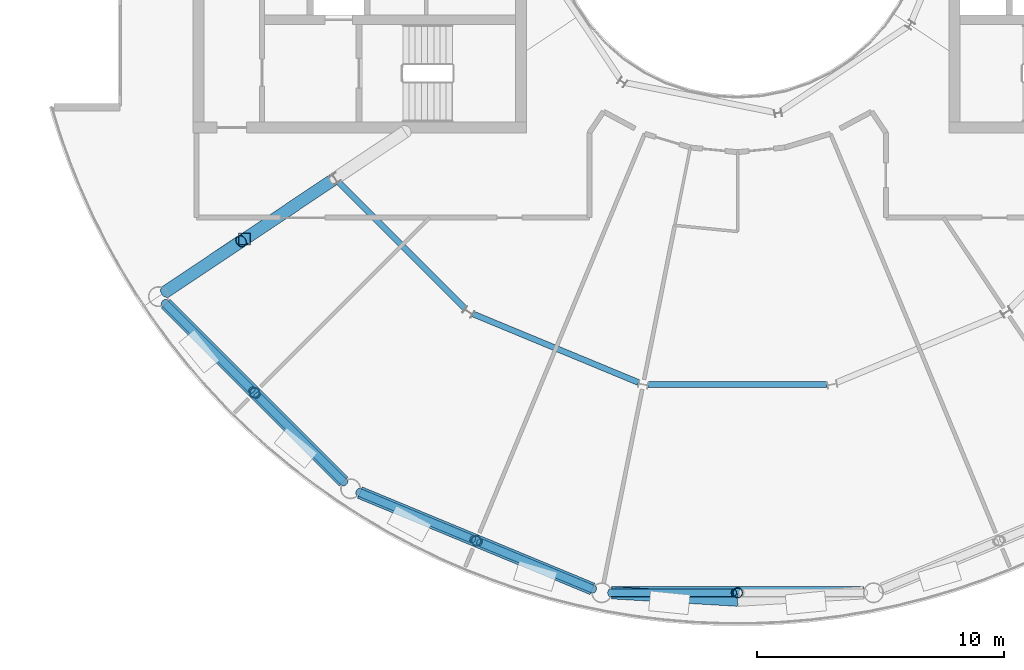
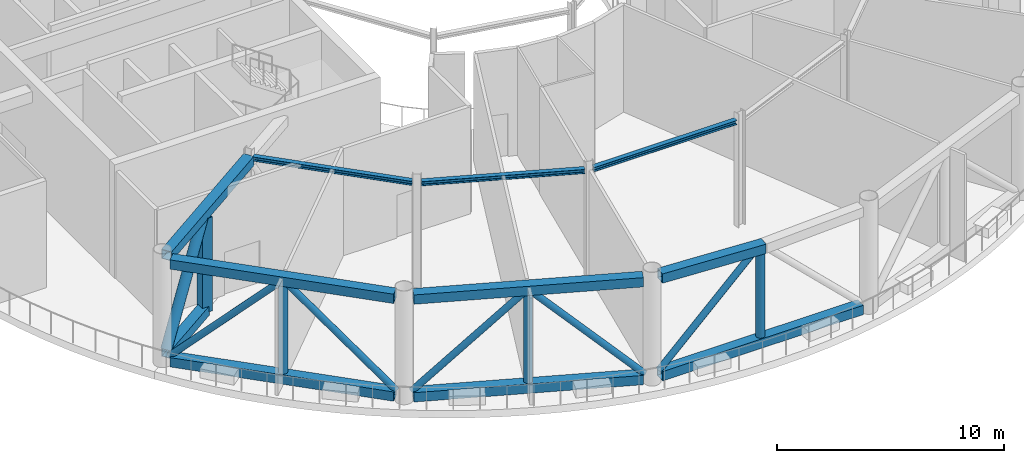
# One storey, part 5 of 24: 11 beams, 10 members.
"""IFC4 building model written with IfcOpenShell, lengths in metres."""

import ifcopenshell
import ifcopenshell.guid

model = None  # the IFC model being written
_history = None  # IfcOwnerHistory: only IFC2X3 demands one
_inside = {}  # id of a spatial element -> (the spatial element, [elements in it])
_under = {}  # id of a project, library or spatial element -> (it, [spatial elements below it])
_declared = {}  # id of a project -> (the project, [libraries it declares])
_typed = {}  # id of a type object -> (the type object, [elements of that type])
_made_of = {}  # id of a material, layer set ... -> (it, [elements and type objects made of it])


def new_model(schema):
    """Start an empty IFC model of exactly this schema.

    Asked for "IFC4X3", IfcOpenShell would pick the latest addendum, in which some entities
    have other attributes; the version numbers below select the first issue.
    IFC2X3 requires an IfcOwnerHistory on every rooted entity: one is made here for all.
    """
    global model, _history
    if schema == "IFC4X3":
        model = ifcopenshell.file(schema_version=(4, 3, 0, 0))
    else:
        model = ifcopenshell.file(schema=schema)
    _inside.clear()
    _under.clear()
    _declared.clear()
    _typed.clear()
    _made_of.clear()
    _history = None
    if model.schema == "IFC2X3":
        org = make("IfcOrganization", Name="unknown")
        user = make(
            "IfcPersonAndOrganization",
            ThePerson=make("IfcPerson", FamilyName="unknown"),
            TheOrganization=org,
        )
        app = make(
            "IfcApplication",
            ApplicationDeveloper=org,
            Version="unknown",
            ApplicationFullName="unknown",
            ApplicationIdentifier="unknown",
        )
        _history = make(
            "IfcOwnerHistory",
            OwningUser=user,
            OwningApplication=app,
            ChangeAction="ADDED",
            CreationDate=0,
        )
    return model


def make(cls, **values):
    """One entity of the class cls with the attributes given. An attribute that is None is left unset."""
    return model.create_entity(
        cls, **{name: value for name, value in values.items() if value is not None}
    )


def rooted(cls, **values):
    """An entity with a GlobalId (a new one), such as an element, a storey or a relation."""
    return make(cls, GlobalId=ifcopenshell.guid.new(), OwnerHistory=_history, **values)


def si_unit(unit_type, name, prefix=None):
    """IfcSIUnit, for example si_unit("LENGTHUNIT", "METRE", prefix="MILLI")."""
    return make("IfcSIUnit", UnitType=unit_type, Prefix=prefix, Name=name)


def assignment(units):
    """IfcUnitAssignment: the units of a project."""
    return None if units is None else make("IfcUnitAssignment", Units=units)


def point(xyz):
    """IfcCartesianPoint."""
    return None if xyz is None else make("IfcCartesianPoint", Coordinates=xyz)


def direction(xyz):
    """IfcDirection."""
    return None if xyz is None else make("IfcDirection", DirectionRatios=xyz)


def frame(location, z_axis=None, x_axis=None):
    """IfcAxis2Placement3D, a coordinate frame: its origin and axes. An axis left out is left unset."""
    return make(
        "IfcAxis2Placement3D",
        Location=point(location),
        Axis=direction(z_axis),
        RefDirection=direction(x_axis),
    )


def frame_2d(location, x_axis=None):
    """IfcAxis2Placement2D, a coordinate frame in the plane: its origin and x axis."""
    return make(
        "IfcAxis2Placement2D", Location=point(location), RefDirection=direction(x_axis)
    )


def origin():
    """The frame at (0, 0, 0) with its axes left unset."""
    return frame((0.0, 0.0, 0.0))


def origin_2d():
    """The frame at (0, 0) in the plane with its x axis left unset."""
    return frame_2d((0.0, 0.0))


def place(relative_to, where):
    """IfcLocalPlacement: puts the frame where relative to a parent placement (None: the world)."""
    return make(
        "IfcLocalPlacement", PlacementRelTo=relative_to, RelativePlacement=where
    )


def context(
    kind, dimensions, precision=None, world=None, true_north=None, identifier=None
):
    """IfcGeometricRepresentationContext, for example the 3D "Model" context."""
    return make(
        "IfcGeometricRepresentationContext",
        ContextIdentifier=identifier,
        ContextType=kind,
        CoordinateSpaceDimension=dimensions,
        Precision=precision,
        WorldCoordinateSystem=world,
        TrueNorth=true_north,
    )


def subcontext(parent, identifier, kind, view, scale=None):
    """IfcGeometricRepresentationSubContext, for example "Body" below "Model"."""
    return make(
        "IfcGeometricRepresentationSubContext",
        ContextIdentifier=identifier,
        ContextType=kind,
        ParentContext=parent,
        TargetScale=scale,
        TargetView=view,
    )


def project(units=None, contexts=None):
    """IfcProject with its units and contexts."""
    return rooted(
        "IfcProject",
        Name="project",
        RepresentationContexts=contexts,
        UnitsInContext=assignment(units),
    )


def spatial(cls, under=None, at=None, **own):
    """A site, building, storey or space (cls), placed at a placement, below another one or the project."""
    s = rooted(cls, ObjectPlacement=at, **own)
    if under is not None:
        _under.setdefault(under.id(), (under, []))[1].append(s)
    return s


def profile(cls, at=None, kind="AREA", **sizes):
    """A parametric profile (cls). Its sizes go by their IFC names, for example OverallWidth=200.0."""
    return make(cls, ProfileType=kind, Position=at, **sizes)


def hollow_rectangle(**sizes):
    """IfcRectangleHollowProfileDef."""
    return profile("IfcRectangleHollowProfileDef", **sizes)


def hollow_circle(**sizes):
    """IfcCircleHollowProfileDef."""
    return profile("IfcCircleHollowProfileDef", **sizes)


def i_section(**sizes):
    """IfcIShapeProfileDef."""
    return profile("IfcIShapeProfileDef", **sizes)


def extrude(swept, where, along, depth):
    """IfcExtrudedAreaSolid: the profile swept, set in the frame where, extruded along a direction by depth."""
    return make(
        "IfcExtrudedAreaSolid",
        SweptArea=swept,
        Position=where,
        ExtrudedDirection=direction(along),
        Depth=depth,
    )


def shape(context_of_items, identifier, shape_type, items):
    """IfcShapeRepresentation: the items that make up one representation, for example the "Body"."""
    return make(
        "IfcShapeRepresentation",
        ContextOfItems=context_of_items,
        RepresentationIdentifier=identifier,
        RepresentationType=shape_type,
        Items=items,
    )


def material(Name=None, Category=None):
    """IfcMaterial."""
    return make("IfcMaterial", Name=Name, Category=Category)


def material_profile(
    of_material, cross_section, Name=None, Category=None, Priority=None
):
    """IfcMaterialProfile: a cross section and its material."""
    return make(
        "IfcMaterialProfile",
        Name=Name,
        Material=of_material,
        Profile=cross_section,
        Priority=Priority,
        Category=Category,
    )


def profile_set(profiles, Name=None, composite=None):
    """IfcMaterialProfileSet."""
    return make(
        "IfcMaterialProfileSet",
        Name=Name,
        MaterialProfiles=profiles,
        CompositeProfile=composite,
    )


def made_of(thing, what):
    """Note that an element or type object is made of a material, layer set ...; save() writes the relation."""
    if what is not None:
        _made_of.setdefault(what.id(), (what, []))[1].append(thing)
    return thing


def type_object(cls, material=None, **own):
    """A type object (cls), such as IfcWallType, which elements share."""
    return made_of(rooted(cls, **own), material)


def element(
    cls,
    number,
    at=None,
    inside=None,
    cuts=None,
    type_object=None,
    material=None,
    context=None,
    identifier="Body",
    shape_type=None,
    held_by="IfcProductDefinitionShape",
    body=None,
    shapes=None,
    **own,
):
    """One element of the class cls, such as IfcWall. Its Tag is "e" and its number.

    at: its placement. inside: the storey or other place that contains it. cuts: it is an
    opening in that element (IfcRelVoidsElement). A single representation is given by context,
    identifier, shape_type and body (its items); several are given by shapes. held_by: the class
    of the entity that holds the representations. save() writes the other relations.
    """
    e = rooted(cls, Tag="e%d" % number, ObjectPlacement=at, **own)
    if body is not None:
        shapes = [shape(context, identifier, shape_type, body)]
    if shapes is not None:
        e.Representation = make(held_by, Representations=shapes)
    if inside is not None:
        _inside.setdefault(inside.id(), (inside, []))[1].append(e)
    if cuts is not None:
        rooted(
            "IfcRelVoidsElement", RelatingBuildingElement=cuts, RelatedOpeningElement=e
        )
    if type_object is not None:
        _typed.setdefault(type_object.id(), (type_object, []))[1].append(e)
    return made_of(e, material)


def aggregate(whole, parts):
    """IfcRelAggregates: a whole, such as a stair, and the parts it consists of."""
    return rooted("IfcRelAggregates", RelatingObject=whole, RelatedObjects=parts)


def save(model, path):
    """Write the relations noted so far, then the file.

    IfcRelAggregates (storeys below a building ...), IfcRelContainedInSpatialStructure (elements
    in a storey), IfcRelDefinesByType, IfcRelAssociatesMaterial and IfcRelDeclares: one each for
    every whole, place, type object, material and project.
    """
    for whole, parts in _under.values():
        aggregate(whole, parts)
    for where, things in _inside.values():
        rooted(
            "IfcRelContainedInSpatialStructure",
            RelatedElements=things,
            RelatingStructure=where,
        )
    for kind, things in _typed.values():
        rooted("IfcRelDefinesByType", RelatedObjects=things, RelatingType=kind)
    for what, things in _made_of.values():
        rooted("IfcRelAssociatesMaterial", RelatedObjects=things, RelatingMaterial=what)
    for by, libraries in _declared.values():
        rooted("IfcRelDeclares", RelatingContext=by, RelatedDefinitions=libraries)
    model.write(path)


model = new_model("IFC4")

# Units and contexts
model_context = context("Model", 3, precision=1e-05, world=origin(), true_north=direction((0.0, 1.0)))
body_context = subcontext(model_context, "Body", "Model", "MODEL_VIEW")
ifc_project = project(units=[si_unit("LENGTHUNIT", "METRE"), si_unit("AREAUNIT", "SQUARE_METRE"), si_unit("VOLUMEUNIT", "CUBIC_METRE"), si_unit("PLANEANGLEUNIT", "RADIAN"), si_unit("MASSUNIT", "GRAM", prefix="KILO")], contexts=[model_context])

# Site, building, storey
site_placement = place(None, origin())
site = spatial("IfcSite", under=ifc_project, at=site_placement, CompositionType="ELEMENT")
building_placement = place(site_placement, origin())
building = spatial("IfcBuilding", under=site, at=building_placement, Name="Maasbend Ring Residences", CompositionType="ELEMENT")
storey_placement = place(building_placement, frame((0.0, 0.0, 221.85009765625)))
storey = spatial("IfcBuildingStorey", under=building, at=storey_placement, Name="L64", CompositionType="ELEMENT", Elevation=221.85009765625)

# Beams
ifc_material_1 = material(Name="Steel S460M", Category="steel")
ifc_material_profile_1 = material_profile(ifc_material_1, hollow_rectangle(XDim=0.5, YDim=0.5, WallThickness=0.030029296875, at=origin_2d()), Name="Belt truss chord BX 500x500x30")
ifc_profile_set_1 = profile_set([ifc_material_profile_1], Name="Steel S460M")
beam_type_1 = type_object("IfcBeamType", Name="Belt truss chord BX 500x500x30", PredefinedType="BEAM", material=ifc_profile_set_1)
for number, where, z_axis, x_axis, name in (
    (1, (-23.159912109375, -15.95458984375, 0.25), (0.707106781187, -0.707106781187, 0.0), (0.707106781187, 0.707106781187, 0.0), "Belt truss"),
    (2, (-23.159912109375, -15.95458984375, 5.5), (0.707106781187, -0.707106781187, 0.0), (0.707106781187, 0.707106781187, 0.0), "Belt truss"),
    (3, (-15.29150390625, -23.60302734375, 0.25), (0.923883676188, -0.382673428492, 0.0), (0.382673428492, 0.923883676188, 0.0), "Belt truss"),
    (4, (-15.29150390625, -23.60302734375, 5.5), (0.923883676188, -0.382673428492, 0.0), (0.382673428492, 0.923883676188, 0.0), "Belt truss"),
    (5, (-5.094970703125, -27.658203125, 0.25), (1.0, 0.0, 0.0), (0.0, 1.0, 0.0), "Belt truss"),
):
    element("IfcBeam", number, at=place(storey_placement, frame(where, z_axis=z_axis, x_axis=x_axis)), inside=storey, type_object=beam_type_1, Name=name, PredefinedType="BEAM", context=body_context, shape_type="SweptSolid", body=[
        extrude(hollow_rectangle(XDim=0.5, YDim=0.5, WallThickness=0.030029296875, at=origin_2d()), origin(), (0.0, 0.0, 1.0), 10.18994140625),
    ])
beam_1_placement = place(storey_placement, frame((-5.094970703125, -27.658203125, 5.5), z_axis=(0.998273218339, -0.058741650875, 0.0), x_axis=(0.058741650875, 0.998273218339, 0.0)))
element("IfcBeam", 6, at=beam_1_placement, inside=storey, type_object=beam_type_1, Name="Belt truss", PredefinedType="BEAM", context=body_context, shape_type="SweptSolid", body=[
    extrude(hollow_rectangle(XDim=0.5, YDim=0.5, WallThickness=0.030029296875, at=origin_2d()), origin(), (0.0, 0.0, 1.0), 5.103759765625),
])

# Members
ifc_material_2 = material(Name="Steel S460NH", Category="steel")
ifc_material_profile_2 = material_profile(ifc_material_2, hollow_circle(Radius=0.161865234375, WallThickness=0.012451171875, at=origin_2d()), Name="Belt truss diagonal CHS 323.9x12.5")
ifc_profile_set_2 = profile_set([ifc_material_profile_2], Name="Steel S460NH")
member_type_1 = type_object("IfcMemberType", Name="Belt truss diagonal CHS 323.9x12.5", PredefinedType="BRACE", material=ifc_profile_set_2)
for number, where, z_axis, x_axis, name in (
    (7, (-23.1962890625, -15.918212890625, 0.449951171875), (0.50729843003, -0.50729843003, 0.69663233185), (0.707106781187, 0.707106781187, 0.0), "Belt truss diagonal"),
    (8, (-19.449951171875, -19.66455078125, 5.2998046875), (0.50729843003, -0.50729843003, -0.69663233185), (0.707106781187, 0.707106781187, 0.0), "Belt truss diagonal"),
    (9, (-15.339111328125, -23.583251953125, 0.449951171875), (0.662822090686, -0.274548126976, 0.696627735647), (0.38268132365, 0.923880405967, 0.0), "Belt truss diagonal"),
    (10, (-10.444091796875, -25.61083984375, 5.2998046875), (0.662822090686, -0.274548126976, -0.696627735647), (0.38268132365, 0.923880405967, 0.0), "Belt truss diagonal"),
    (11, (-5.146484375, -27.658203125, 0.449951171875), (0.7174451099, 0.0, 0.696615040235), (0.0, 1.0, 0.0), "Belt truss diagonal"),
):
    element("IfcMember", number, at=place(storey_placement, frame(where, z_axis=z_axis, x_axis=x_axis)), inside=storey, type_object=member_type_1, Name=name, PredefinedType="BRACE", context=body_context, shape_type="SweptSolid", body=[
        extrude(hollow_circle(Radius=0.161865234375, WallThickness=0.012451171875, at=origin_2d()), origin(), (0.0, 0.0, 1.0), 6.9619140625),
    ])
ifc_material_3 = material(Name="Steel S460NH", Category="steel")
ifc_material_profile_3 = material_profile(ifc_material_3, hollow_circle(Radius=0.203125, WallThickness=0.01611328125, at=origin_2d()), Name="Belt truss post CHS 406.4x16")
ifc_profile_set_3 = profile_set([ifc_material_profile_3], Name="Steel S460NH")
member_type_2 = type_object("IfcMemberType", Name="Belt truss post CHS 406.4x16", PredefinedType="POST", material=ifc_profile_set_3)
for number, where, z_axis, x_axis, name in (
    (12, (-19.55712890625, -19.55712890625, 0.5), (0.0, 0.0, 1.0), (1.0, 0.0, 0.0), "Belt truss post"),
    (13, (-10.584228515625, -25.552734375, 0.5), (0.0, 0.0, 1.0), (1.0, 0.0, 0.0), "Belt truss post"),
    (14, (0.0, -27.658203125, 0.5), (0.0, 0.0, 1.0), (1.0, 0.0, 0.0), "Belt truss post"),
):
    element("IfcMember", number, at=place(storey_placement, frame(where, z_axis=z_axis, x_axis=x_axis)), inside=storey, type_object=member_type_2, Name=name, PredefinedType="POST", context=body_context, shape_type="SweptSolid", body=[
        extrude(hollow_circle(Radius=0.203125, WallThickness=0.01611328125, at=origin_2d()), origin(), (0.0, 0.0, 1.0), 4.75),
    ])

# Beams
ifc_material_4 = material(Name="Steel S355J2", Category="steel")
ifc_material_profile_4 = material_profile(ifc_material_4, i_section(OverallWidth=0.239990234375, OverallDepth=0.22998046875, WebThickness=0.007568359375, FlangeThickness=0.011962890625, FilletRadius=0.02099609375, at=origin_2d()), Name="HEA 240")
ifc_profile_set_4 = profile_set([ifc_material_profile_4], Name="Steel S355J2")
beam_type_2 = type_object("IfcBeamType", Name="Corridor ring beam HEA 240", PredefinedType="BEAM", material=ifc_profile_set_4)
beam_2_placement = place(storey_placement, frame((-16.152587890625, -11.033447265625, 5.635009765625), z_axis=(0.707106781187, -0.707106781187, 0.0), x_axis=(0.707106781187, 0.707106781187, 0.0)))
element("IfcBeam", 15, at=beam_2_placement, inside=storey, type_object=beam_type_2, Name="Corridor ring beam", PredefinedType="BEAM", context=body_context, shape_type="SweptSolid", body=[
    extrude(i_section(OverallWidth=0.239990234375, OverallDepth=0.22998046875, WebThickness=0.007568359375, FlangeThickness=0.011962890625, FilletRadius=0.02099609375, at=origin_2d()), origin(), (0.0, 0.0, 1.0), 7.239501953125),
])
for number, where, z_axis, x_axis, name in (
    (16, (-10.70068359375, -16.374755859375, 5.635009765625), (0.923865162022, -0.382718123952, 0.0), (0.382718123952, 0.923865162022, 0.0), "Corridor ring beam"),
    (17, (-3.619873046875, -19.223388671875, 5.635009765625), (1.0, 0.0, 0.0), (0.0, 1.0, 0.0), "Corridor ring beam"),
):
    element("IfcBeam", number, at=place(storey_placement, frame(where, z_axis=z_axis, x_axis=x_axis)), inside=storey, type_object=beam_type_2, Name=name, PredefinedType="BEAM", context=body_context, shape_type="SweptSolid", body=[
        extrude(i_section(OverallWidth=0.239990234375, OverallDepth=0.22998046875, WebThickness=0.007568359375, FlangeThickness=0.011962890625, FilletRadius=0.02099609375, at=origin_2d()), origin(), (0.0, 0.0, 1.0), 7.23974609375),
    ])
ifc_material_5 = material(Name="Steel S460M", Category="steel")
ifc_material_profile_5 = material_profile(ifc_material_5, hollow_rectangle(XDim=0.5, YDim=0.5, WallThickness=0.030029296875, at=origin_2d()), Name="Outrigger truss chord BX 500x500x30")
ifc_profile_set_5 = profile_set([ifc_material_profile_5], Name="Steel S460M")
beam_type_3 = type_object("IfcBeamType", Name="Outrigger truss chord BX 500x500x30", PredefinedType="BEAM", material=ifc_profile_set_5)
beam_3_placement = place(storey_placement, frame((-23.109375, -15.44140625, 0.25), z_axis=(0.831444556462, 0.555607729904, 0.0), x_axis=(-0.555607729904, 0.831444556462, 0.0)))
element("IfcBeam", 18, at=beam_3_placement, inside=storey, type_object=beam_type_3, Name="Outrigger truss", PredefinedType="BEAM", context=body_context, shape_type="SweptSolid", body=[
    extrude(hollow_rectangle(XDim=0.5, YDim=0.5, WallThickness=0.030029296875, at=origin_2d()), origin(), (0.0, 0.0, 1.0), 3.78564453125),
])
beam_4_placement = place(storey_placement, frame((-23.109375, -15.44140625, 5.5), z_axis=(0.831453297605, 0.555594648914, 0.0), x_axis=(-0.555594648914, 0.831453297605, 0.0)))
element("IfcBeam", 19, at=beam_4_placement, inside=storey, type_object=beam_type_3, Name="Outrigger truss", PredefinedType="BEAM", context=body_context, shape_type="SweptSolid", body=[
    extrude(hollow_rectangle(XDim=0.5, YDim=0.5, WallThickness=0.030029296875, at=origin_2d()), origin(), (0.0, 0.0, 1.0), 8.185546875),
])

# Members
ifc_material_6 = material(Name="Steel S460NH", Category="steel")
ifc_material_profile_6 = material_profile(ifc_material_6, hollow_circle(Radius=0.25390625, WallThickness=0.02490234375, at=origin_2d()), Name="Outrigger truss diagonal CHS 508x25")
ifc_profile_set_6 = profile_set([ifc_material_profile_6], Name="Steel S460NH")
member_type_3 = type_object("IfcMemberType", Name="Outrigger truss diagonal CHS 508x25", PredefinedType="BRACE", material=ifc_profile_set_6)
member_1_placement = place(storey_placement, frame((-23.140869140625, -15.462158203125, 0.449951171875), z_axis=(0.50066184566, 0.334511402539, 0.798398295259), x_axis=(-0.555547100174, 0.83148506871, 0.0)))
element("IfcMember", 20, at=member_1_placement, inside=storey, type_object=member_type_3, Name="Outrigger truss diagonal", PredefinedType="BRACE", context=body_context, shape_type="SweptSolid", body=[
    extrude(hollow_circle(Radius=0.25390625, WallThickness=0.02490234375, at=origin_2d()), origin(), (0.0, 0.0, 1.0), 6.074462890625),
])
ifc_material_7 = material(Name="Steel S460M", Category="steel")
ifc_material_profile_7 = material_profile(ifc_material_7, hollow_rectangle(XDim=0.5, YDim=0.5, WallThickness=0.030029296875, at=origin_2d()), Name="Outrigger truss post BX 500x500x30")
ifc_profile_set_7 = profile_set([ifc_material_profile_7], Name="Steel S460M")
member_type_4 = type_object("IfcMemberType", Name="Outrigger truss post BX 500x500x30", PredefinedType="POST", material=ifc_profile_set_7)
member_2_placement = place(storey_placement, frame((-19.9619140625, -13.338134765625, 0.199951171875), z_axis=(0.0, 0.0, 1.0), x_axis=(1.0, 0.0, 0.0)))
element("IfcMember", 21, at=member_2_placement, inside=storey, type_object=member_type_4, Name="Outrigger truss post", PredefinedType="POST", context=body_context, shape_type="SweptSolid", body=[
    extrude(hollow_rectangle(XDim=0.5, YDim=0.5, WallThickness=0.030029296875, at=origin_2d()), origin(), (0.0, 0.0, 1.0), 5.050048828125),
])

save(model, "model.ifc")
